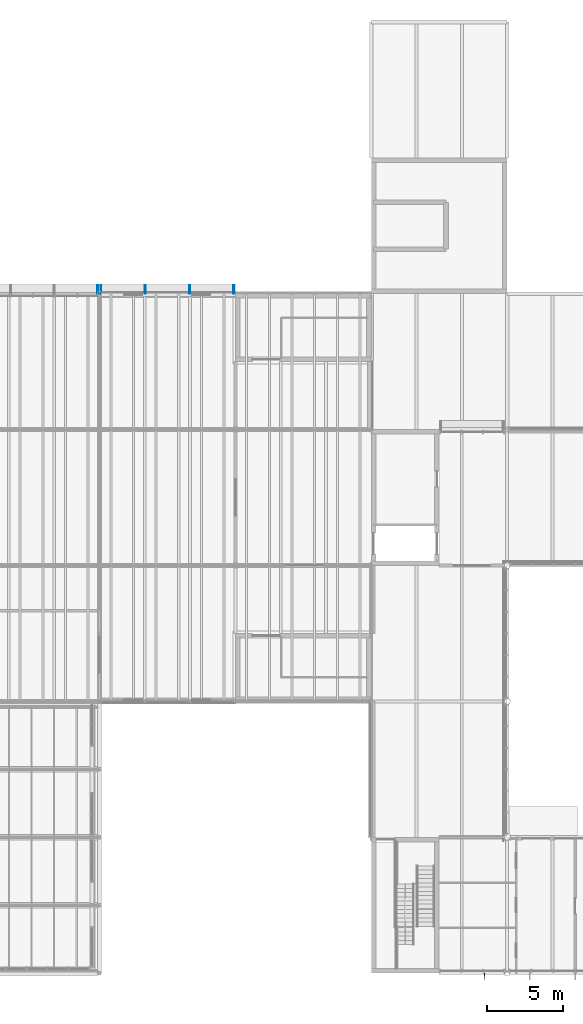
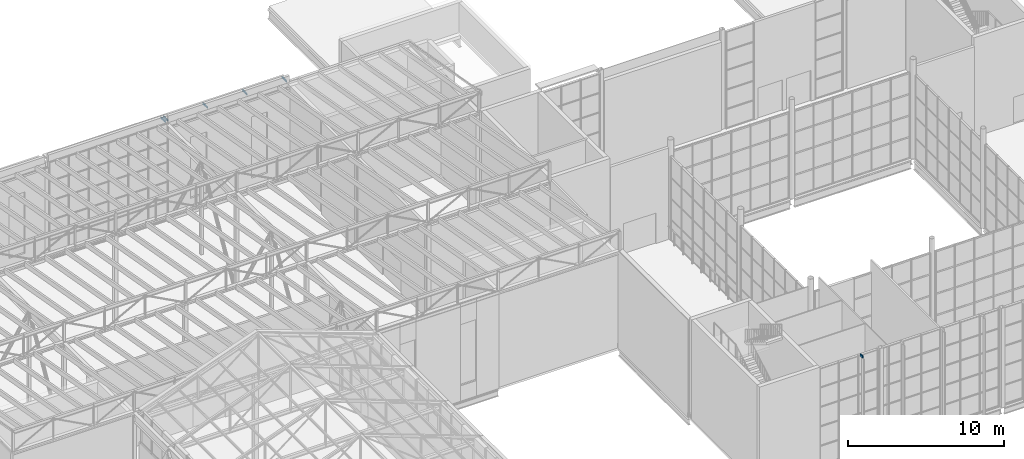
# One storey, part 80 of 90: 6 discrete accessories.
"""IFC4 building model written with IfcOpenShell, lengths in metres."""

from ifc_helpers import new_model, si_unit, direction, frame, origin, origin_2d, place, context, subcontext, project, spatial, rectangle, extrude, element, save


model = new_model("IFC4")

# Units and contexts
model_context = context("Model", 3, precision=1e-05, world=origin(), true_north=direction((0.0, 1.0)))
body_context = subcontext(model_context, "Body", "Model", "MODEL_VIEW")
ifc_project = project(units=[si_unit("LENGTHUNIT", "METRE"), si_unit("AREAUNIT", "SQUARE_METRE"), si_unit("VOLUMEUNIT", "CUBIC_METRE"), si_unit("PLANEANGLEUNIT", "RADIAN"), si_unit("MASSUNIT", "GRAM", prefix="KILO")], contexts=[model_context])

# Site, building, storey
site_placement = place(None, origin())
site = spatial("IfcSite", under=ifc_project, at=site_placement, CompositionType="ELEMENT")
building_placement = place(site_placement, origin())
building = spatial("IfcBuilding", under=site, at=building_placement, Name="Halyard Row Museum", CompositionType="ELEMENT")
storey_placement = place(building_placement, frame((0.0, 0.0, 13.39990234375)))
storey = spatial("IfcBuildingStorey", under=building, at=storey_placement, Name="L03", CompositionType="ELEMENT", Elevation=13.39990234375)

# Discrete accessories
for number, where, z_axis, x_axis, name in (
    (1, (62.89990234375, 45.27490234375, 7.635009765625), (0.0, 0.0, 1.0), (1.0, 0.0, 0.0), "Louvre bracket"),
    (2, (59.966552734375, 45.27490234375, 7.635009765625), (0.0, 0.0, 1.0), (1.0, 0.0, 0.0), "Louvre bracket"),
    (3, (57.033447265625, 45.27490234375, 7.635009765625), (0.0, 0.0, 1.0), (1.0, 0.0, 0.0), "Louvre bracket"),
    (4, (54.10009765625, 45.27490234375, 7.635009765625), (0.0, 0.0, 1.0), (1.0, 0.0, 0.0), "Louvre bracket"),
    (5, (53.89990234375, 45.27490234375, 7.635009765625), (0.0, 0.0, 1.0), (1.0, 0.0, 0.0), "Louvre bracket"),
):
    element("IfcDiscreteAccessory", number, at=place(storey_placement, frame(where, z_axis=z_axis, x_axis=x_axis)), inside=storey, Name=name, PredefinedType="BRACKET", context=body_context, shape_type="SweptSolid", body=[
        extrude(rectangle(XDim=0.06005859375, YDim=0.550048828125, at=origin_2d()), origin(), (0.0, 0.0, 1.0), 0.10009765625),
    ])
discrete_accessory_placement = place(storey_placement, frame((79.5, -0.16259765625, 7.650146484375), z_axis=(0.0, 0.0, 1.0), x_axis=(1.0, 0.0, 0.0)))
element("IfcDiscreteAccessory", 6, at=discrete_accessory_placement, inside=storey, Name="Fin bracket", PredefinedType="BRACKET", context=body_context, shape_type="SweptSolid", body=[
    extrude(rectangle(XDim=0.06005859375, YDim=0.324951171875, at=origin_2d()), origin(), (0.0, 0.0, 1.0), 0.14990234375),
])

save(model, "model.ifc")
